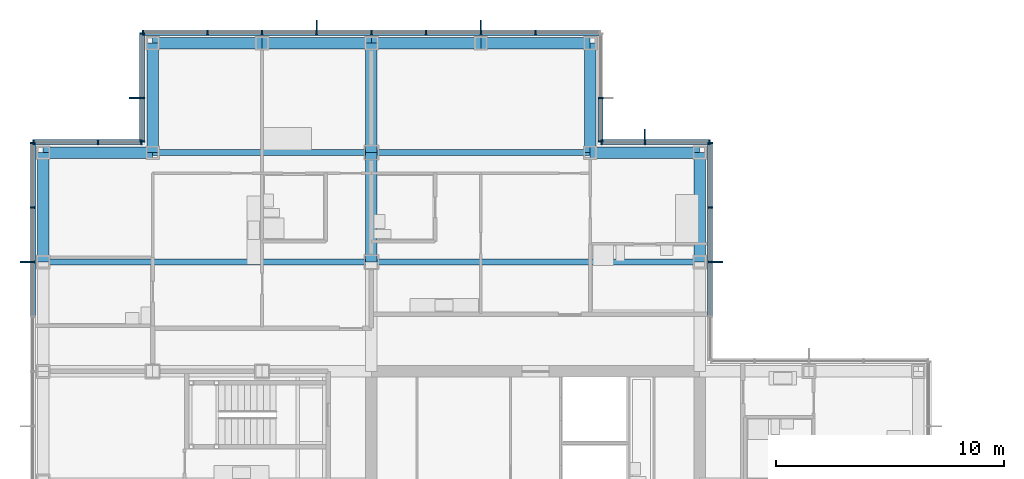
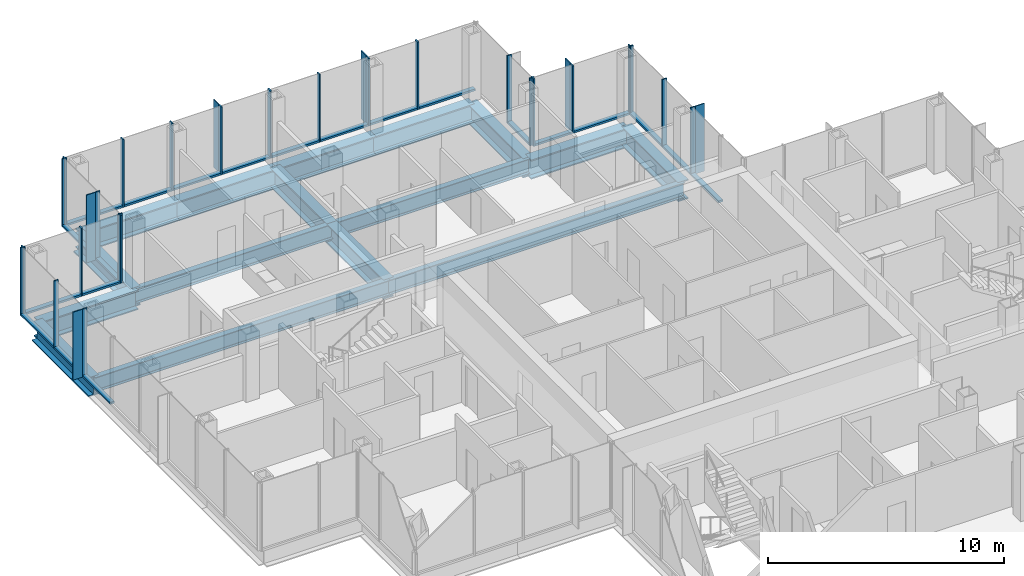
# One storey, part 10 of 20: 52 members, 16 beams, 7 elements without a shape of their own.
"""IFC4 building model written with IfcOpenShell, lengths in metres."""

from ifc_helpers import new_model, si_unit, direction, frame, origin, origin_2d, place, context, subcontext, project, spatial, rectangle, i_section, extrude, material, material_profile, profile_set, type_object, element, aggregate, save


model = new_model("IFC4")

# Units and contexts
model_context = context("Model", 3, precision=1e-05, world=origin(), true_north=direction((0.0, 1.0)))
body_context = subcontext(model_context, "Body", "Model", "MODEL_VIEW")
ifc_project = project(units=[si_unit("LENGTHUNIT", "METRE"), si_unit("AREAUNIT", "SQUARE_METRE"), si_unit("VOLUMEUNIT", "CUBIC_METRE"), si_unit("PLANEANGLEUNIT", "RADIAN"), si_unit("MASSUNIT", "GRAM", prefix="KILO")], contexts=[model_context])

# Site, building, storey
site_placement = place(None, origin())
site = spatial("IfcSite", under=ifc_project, at=site_placement, CompositionType="ELEMENT")
building_placement = place(site_placement, origin())
building = spatial("IfcBuilding", under=site, at=building_placement, Name="Kvirike Care Tower", CompositionType="ELEMENT")
storey_placement = place(building_placement, frame((0.0, 0.0, 126.0)))
storey = spatial("IfcBuildingStorey", under=building, at=storey_placement, Name="L34", CompositionType="ELEMENT", Elevation=126.0)

# Curtain wall, member
ifc_material_1 = material(Name="Anodised aluminium stick system", Category="aluminium")
curtain_wall_type = type_object("IfcCurtainWallType", Name="CW-B STICK CURTAIN WALL", PredefinedType="NOTDEFINED", material=ifc_material_1)
curtain_wall_1_placement = place(storey_placement, origin())
curtain_wall_1 = element("IfcCurtainWall", 1, at=curtain_wall_1_placement, inside=storey, type_object=curtain_wall_type, Name="Curtain wall L34 face 5", PredefinedType="NOTDEFINED")
ifc_material_2 = material(Name="Bronze anodised aluminium fin", Category="aluminium")
ifc_material_profile_1 = material_profile(ifc_material_2, rectangle(XDim=0.050048828125, YDim=0.449951171875, at=origin_2d()), Name="BRONZE FIN 450")
ifc_profile_set_1 = profile_set([ifc_material_profile_1], Name="Bronze anodised aluminium fin")
member_type_1 = type_object("IfcMemberType", Name="BRONZE FIN 450", PredefinedType="USERDEFINED", material=ifc_profile_set_1)
member_1_placement = place(storey_placement, frame((29.594970703125, 48.0, 0.0), z_axis=(0.0, 0.0, 1.0), x_axis=(0.0, 1.0, 0.0)))
member_1 = element("IfcMember", 2, at=member_1_placement, type_object=member_type_1, Name="Bronze fin L34 face 5.3", ObjectType="FIN", PredefinedType="USERDEFINED", context=body_context, shape_type="SweptSolid", body=[
    extrude(rectangle(XDim=0.050048828125, YDim=0.449951171875, at=origin_2d()), origin(), (0.0, 0.0, 1.0), 3.5),
])

curtain_wall_2_placement = place(storey_placement, origin())
curtain_wall_2 = element("IfcCurtainWall", 3, at=curtain_wall_2_placement, inside=storey, type_object=curtain_wall_type, Name="Curtain wall L34 face 6", PredefinedType="NOTDEFINED")
member_2_placement = place(storey_placement, frame((26.39990234375, 53.594970703125, 0.0), z_axis=(0.0, 0.0, 1.0), x_axis=(-1.0, 0.0, 0.0)))
member_2 = element("IfcMember", 4, at=member_2_placement, type_object=member_type_1, Name="Bronze fin L34 face 6.2", ObjectType="FIN", PredefinedType="USERDEFINED", context=body_context, shape_type="SweptSolid", body=[
    extrude(rectangle(XDim=0.050048828125, YDim=0.449951171875, at=origin_2d()), origin(), (0.0, 0.0, 1.0), 3.5),
])

# Curtain wall, members
curtain_wall_3_placement = place(storey_placement, origin())
curtain_wall_3 = element("IfcCurtainWall", 5, at=curtain_wall_3_placement, inside=storey, type_object=curtain_wall_type, Name="Curtain wall L34 face 8", PredefinedType="NOTDEFINED")
member_3_placement = place(storey_placement, frame((19.199951171875, 58.39501953125, 0.0), z_axis=(0.0, 0.0, 1.0), x_axis=(-1.0, 0.0, 0.0)))
member_3 = element("IfcMember", 6, at=member_3_placement, type_object=member_type_1, Name="Bronze fin L34 face 8.3", ObjectType="FIN", PredefinedType="USERDEFINED", context=body_context, shape_type="SweptSolid", body=[
    extrude(rectangle(XDim=0.050048828125, YDim=0.449951171875, at=origin_2d()), origin(), (0.0, 0.0, 1.0), 3.5),
])
member_4_placement = place(storey_placement, frame((12.0, 58.39501953125, 0.0), z_axis=(0.0, 0.0, 1.0), x_axis=(-1.0, 0.0, 0.0)))
member_4 = element("IfcMember", 7, at=member_4_placement, type_object=member_type_1, Name="Bronze fin L34 face 8.6", ObjectType="FIN", PredefinedType="USERDEFINED", context=body_context, shape_type="SweptSolid", body=[
    extrude(rectangle(XDim=0.050048828125, YDim=0.449951171875, at=origin_2d()), origin(), (0.0, 0.0, 1.0), 3.5),
])

# Curtain wall, member
curtain_wall_4_placement = place(storey_placement, origin())
curtain_wall_4 = element("IfcCurtainWall", 8, at=curtain_wall_4_placement, inside=storey, type_object=curtain_wall_type, Name="Curtain wall L34 face 9", PredefinedType="NOTDEFINED")
member_5_placement = place(storey_placement, frame((4.0048828125, 55.199951171875, 0.0), z_axis=(0.0, 0.0, 1.0), x_axis=(0.0, -1.0, 0.0)))
member_5 = element("IfcMember", 9, at=member_5_placement, type_object=member_type_1, Name="Bronze fin L34 face 9.2", ObjectType="FIN", PredefinedType="USERDEFINED", context=body_context, shape_type="SweptSolid", body=[
    extrude(rectangle(XDim=0.050048828125, YDim=0.449951171875, at=origin_2d()), origin(), (0.0, 0.0, 1.0), 3.5),
])

curtain_wall_5_placement = place(storey_placement, origin())
curtain_wall_5 = element("IfcCurtainWall", 10, at=curtain_wall_5_placement, inside=storey, type_object=curtain_wall_type, Name="Curtain wall L34 face 11", PredefinedType="NOTDEFINED")
member_6_placement = place(storey_placement, frame((-0.794921875, 48.0, 0.0), z_axis=(0.0, 0.0, 1.0), x_axis=(0.0, -1.0, 0.0)))
member_6 = element("IfcMember", 11, at=member_6_placement, type_object=member_type_1, Name="Bronze fin L34 face 11.3", ObjectType="FIN", PredefinedType="USERDEFINED", context=body_context, shape_type="SweptSolid", body=[
    extrude(rectangle(XDim=0.050048828125, YDim=0.449951171875, at=origin_2d()), origin(), (0.0, 0.0, 1.0), 3.5),
])

# Member
ifc_material_3 = material(Name="Bronze anodised aluminium mullion", Category="aluminium")
ifc_material_profile_2 = material_profile(ifc_material_3, rectangle(XDim=0.06494140625, YDim=0.219970703125, at=origin_2d()), Name="CW-B MULLION 65x220")
ifc_profile_set_2 = profile_set([ifc_material_profile_2], Name="Bronze anodised aluminium mullion")
member_type_2 = type_object("IfcMemberType", Name="CW-B MULLION 65x220", PredefinedType="MULLION", material=ifc_profile_set_2)
member_7_placement = place(storey_placement, frame((29.260009765625, 48.0, 0.0), z_axis=(0.0, 0.0, 1.0), x_axis=(0.0, 1.0, 0.0)))
member_7 = element("IfcMember", 12, at=member_7_placement, type_object=member_type_2, Name="CW-B mullion L34 face 5.3", PredefinedType="MULLION", context=body_context, shape_type="SweptSolid", body=[
    extrude(rectangle(XDim=0.06494140625, YDim=0.219970703125, at=origin_2d()), origin(), (0.0, 0.0, 1.0), 3.5),
])

member_8_placement = place(storey_placement, frame((29.260009765625, 50.39990234375, 0.0), z_axis=(0.0, 0.0, 1.0), x_axis=(0.0, 1.0, 0.0)))
member_8 = element("IfcMember", 13, at=member_8_placement, type_object=member_type_2, Name="CW-B mullion L34 face 5.4", PredefinedType="MULLION", context=body_context, shape_type="SweptSolid", body=[
    extrude(rectangle(XDim=0.06494140625, YDim=0.219970703125, at=origin_2d()), origin(), (0.0, 0.0, 1.0), 3.5),
])

member_9_placement = place(storey_placement, frame((29.260009765625, 53.2275390625, 0.0), z_axis=(0.0, 0.0, 1.0), x_axis=(0.0, 1.0, 0.0)))
member_9 = element("IfcMember", 14, at=member_9_placement, type_object=member_type_2, Name="CW-B mullion L34 face 5.5", PredefinedType="MULLION", context=body_context, shape_type="SweptSolid", body=[
    extrude(rectangle(XDim=0.06494140625, YDim=0.219970703125, at=origin_2d()), origin(), (0.0, 0.0, 1.0), 3.5),
])

member_10_placement = place(storey_placement, frame((29.2275390625, 53.260009765625, 0.0), z_axis=(0.0, 0.0, 1.0), x_axis=(-1.0, 0.0, 0.0)))
member_10 = element("IfcMember", 15, at=member_10_placement, type_object=member_type_2, Name="CW-B mullion L34 face 6.1", PredefinedType="MULLION", context=body_context, shape_type="SweptSolid", body=[
    extrude(rectangle(XDim=0.06494140625, YDim=0.219970703125, at=origin_2d()), origin(), (0.0, 0.0, 1.0), 3.5),
])

member_11_placement = place(storey_placement, frame((26.39990234375, 53.260009765625, 0.0), z_axis=(0.0, 0.0, 1.0), x_axis=(-1.0, 0.0, 0.0)))
member_11 = element("IfcMember", 16, at=member_11_placement, type_object=member_type_2, Name="CW-B mullion L34 face 6.2", PredefinedType="MULLION", context=body_context, shape_type="SweptSolid", body=[
    extrude(rectangle(XDim=0.06494140625, YDim=0.219970703125, at=origin_2d()), origin(), (0.0, 0.0, 1.0), 3.5),
])

member_12_placement = place(storey_placement, frame((24.492431640625, 53.260009765625, 0.0), z_axis=(0.0, 0.0, 1.0), x_axis=(-1.0, 0.0, 0.0)))
member_12 = element("IfcMember", 17, at=member_12_placement, type_object=member_type_2, Name="CW-B mullion L34 face 6.3", PredefinedType="MULLION", context=body_context, shape_type="SweptSolid", body=[
    extrude(rectangle(XDim=0.06494140625, YDim=0.219970703125, at=origin_2d()), origin(), (0.0, 0.0, 1.0), 3.5),
])

# Curtain wall, members
curtain_wall_6_placement = place(storey_placement, origin())
curtain_wall_6 = element("IfcCurtainWall", 18, at=curtain_wall_6_placement, inside=storey, type_object=curtain_wall_type, Name="Curtain wall L34 face 7", PredefinedType="NOTDEFINED")
member_13_placement = place(storey_placement, frame((24.4599609375, 53.29248046875, 0.0), z_axis=(0.0, 0.0, 1.0), x_axis=(0.0, 1.0, 0.0)))
member_13 = element("IfcMember", 19, at=member_13_placement, type_object=member_type_2, Name="CW-B mullion L34 face 7.1", PredefinedType="MULLION", context=body_context, shape_type="SweptSolid", body=[
    extrude(rectangle(XDim=0.06494140625, YDim=0.219970703125, at=origin_2d()), origin(), (0.0, 0.0, 1.0), 3.5),
])
member_14_placement = place(storey_placement, frame((24.4599609375, 55.199951171875, 0.0), z_axis=(0.0, 0.0, 1.0), x_axis=(0.0, 1.0, 0.0)))
member_14 = element("IfcMember", 20, at=member_14_placement, type_object=member_type_2, Name="CW-B mullion L34 face 7.2", PredefinedType="MULLION", context=body_context, shape_type="SweptSolid", body=[
    extrude(rectangle(XDim=0.06494140625, YDim=0.219970703125, at=origin_2d()), origin(), (0.0, 0.0, 1.0), 3.5),
])

# Member
member_15_placement = place(storey_placement, frame((21.60009765625, 58.06005859375, 0.0), z_axis=(0.0, 0.0, 1.0), x_axis=(-1.0, 0.0, 0.0)))
member_15 = element("IfcMember", 21, at=member_15_placement, type_object=member_type_2, Name="CW-B mullion L34 face 8.2", PredefinedType="MULLION", context=body_context, shape_type="SweptSolid", body=[
    extrude(rectangle(XDim=0.06494140625, YDim=0.219970703125, at=origin_2d()), origin(), (0.0, 0.0, 1.0), 3.5),
])

member_16_placement = place(storey_placement, frame((19.199951171875, 58.06005859375, 0.0), z_axis=(0.0, 0.0, 1.0), x_axis=(-1.0, 0.0, 0.0)))
member_16 = element("IfcMember", 22, at=member_16_placement, type_object=member_type_2, Name="CW-B mullion L34 face 8.3", PredefinedType="MULLION", context=body_context, shape_type="SweptSolid", body=[
    extrude(rectangle(XDim=0.06494140625, YDim=0.219970703125, at=origin_2d()), origin(), (0.0, 0.0, 1.0), 3.5),
])

member_17_placement = place(storey_placement, frame((16.800048828125, 58.06005859375, 0.0), z_axis=(0.0, 0.0, 1.0), x_axis=(-1.0, 0.0, 0.0)))
member_17 = element("IfcMember", 23, at=member_17_placement, type_object=member_type_2, Name="CW-B mullion L34 face 8.4", PredefinedType="MULLION", context=body_context, shape_type="SweptSolid", body=[
    extrude(rectangle(XDim=0.06494140625, YDim=0.219970703125, at=origin_2d()), origin(), (0.0, 0.0, 1.0), 3.5),
])

member_18_placement = place(storey_placement, frame((14.39990234375, 58.06005859375, 0.0), z_axis=(0.0, 0.0, 1.0), x_axis=(-1.0, 0.0, 0.0)))
member_18 = element("IfcMember", 24, at=member_18_placement, type_object=member_type_2, Name="CW-B mullion L34 face 8.5", PredefinedType="MULLION", context=body_context, shape_type="SweptSolid", body=[
    extrude(rectangle(XDim=0.06494140625, YDim=0.219970703125, at=origin_2d()), origin(), (0.0, 0.0, 1.0), 3.5),
])

member_19_placement = place(storey_placement, frame((12.0, 58.06005859375, 0.0), z_axis=(0.0, 0.0, 1.0), x_axis=(-1.0, 0.0, 0.0)))
member_19 = element("IfcMember", 25, at=member_19_placement, type_object=member_type_2, Name="CW-B mullion L34 face 8.6", PredefinedType="MULLION", context=body_context, shape_type="SweptSolid", body=[
    extrude(rectangle(XDim=0.06494140625, YDim=0.219970703125, at=origin_2d()), origin(), (0.0, 0.0, 1.0), 3.5),
])

member_20_placement = place(storey_placement, frame((9.60009765625, 58.06005859375, 0.0), z_axis=(0.0, 0.0, 1.0), x_axis=(-1.0, 0.0, 0.0)))
member_20 = element("IfcMember", 26, at=member_20_placement, type_object=member_type_2, Name="CW-B mullion L34 face 8.7", PredefinedType="MULLION", context=body_context, shape_type="SweptSolid", body=[
    extrude(rectangle(XDim=0.06494140625, YDim=0.219970703125, at=origin_2d()), origin(), (0.0, 0.0, 1.0), 3.5),
])

member_21_placement = place(storey_placement, frame((7.199951171875, 58.06005859375, 0.0), z_axis=(0.0, 0.0, 1.0), x_axis=(-1.0, 0.0, 0.0)))
member_21 = element("IfcMember", 27, at=member_21_placement, type_object=member_type_2, Name="CW-B mullion L34 face 8.8", PredefinedType="MULLION", context=body_context, shape_type="SweptSolid", body=[
    extrude(rectangle(XDim=0.06494140625, YDim=0.219970703125, at=origin_2d()), origin(), (0.0, 0.0, 1.0), 3.5),
])

member_22_placement = place(storey_placement, frame((4.37255859375, 58.06005859375, 0.0), z_axis=(0.0, 0.0, 1.0), x_axis=(-1.0, 0.0, 0.0)))
member_22 = element("IfcMember", 28, at=member_22_placement, type_object=member_type_2, Name="CW-B mullion L34 face 8.9", PredefinedType="MULLION", context=body_context, shape_type="SweptSolid", body=[
    extrude(rectangle(XDim=0.06494140625, YDim=0.219970703125, at=origin_2d()), origin(), (0.0, 0.0, 1.0), 3.5),
])

member_23_placement = place(storey_placement, frame((4.340087890625, 58.027587890625, 0.0), z_axis=(0.0, 0.0, 1.0), x_axis=(0.0, -1.0, 0.0)))
member_23 = element("IfcMember", 29, at=member_23_placement, type_object=member_type_2, Name="CW-B mullion L34 face 9.1", PredefinedType="MULLION", context=body_context, shape_type="SweptSolid", body=[
    extrude(rectangle(XDim=0.06494140625, YDim=0.219970703125, at=origin_2d()), origin(), (0.0, 0.0, 1.0), 3.5),
])

member_24_placement = place(storey_placement, frame((4.340087890625, 55.199951171875, 0.0), z_axis=(0.0, 0.0, 1.0), x_axis=(0.0, -1.0, 0.0)))
member_24 = element("IfcMember", 30, at=member_24_placement, type_object=member_type_2, Name="CW-B mullion L34 face 9.2", PredefinedType="MULLION", context=body_context, shape_type="SweptSolid", body=[
    extrude(rectangle(XDim=0.06494140625, YDim=0.219970703125, at=origin_2d()), origin(), (0.0, 0.0, 1.0), 3.5),
])

member_25_placement = place(storey_placement, frame((4.340087890625, 53.29248046875, 0.0), z_axis=(0.0, 0.0, 1.0), x_axis=(0.0, -1.0, 0.0)))
member_25 = element("IfcMember", 31, at=member_25_placement, type_object=member_type_2, Name="CW-B mullion L34 face 9.3", PredefinedType="MULLION", context=body_context, shape_type="SweptSolid", body=[
    extrude(rectangle(XDim=0.06494140625, YDim=0.219970703125, at=origin_2d()), origin(), (0.0, 0.0, 1.0), 3.5),
])

# Curtain wall, members
curtain_wall_7_placement = place(storey_placement, origin())
curtain_wall_7 = element("IfcCurtainWall", 32, at=curtain_wall_7_placement, inside=storey, type_object=curtain_wall_type, Name="Curtain wall L34 face 10", PredefinedType="NOTDEFINED")
member_26_placement = place(storey_placement, frame((4.3076171875, 53.260009765625, 0.0), z_axis=(0.0, 0.0, 1.0), x_axis=(-1.0, 0.0, 0.0)))
member_26 = element("IfcMember", 33, at=member_26_placement, type_object=member_type_2, Name="CW-B mullion L34 face 10.1", PredefinedType="MULLION", context=body_context, shape_type="SweptSolid", body=[
    extrude(rectangle(XDim=0.06494140625, YDim=0.219970703125, at=origin_2d()), origin(), (0.0, 0.0, 1.0), 3.5),
])
member_27_placement = place(storey_placement, frame((2.39990234375, 53.260009765625, 0.0), z_axis=(0.0, 0.0, 1.0), x_axis=(-1.0, 0.0, 0.0)))
member_27 = element("IfcMember", 34, at=member_27_placement, type_object=member_type_2, Name="CW-B mullion L34 face 10.2", PredefinedType="MULLION", context=body_context, shape_type="SweptSolid", body=[
    extrude(rectangle(XDim=0.06494140625, YDim=0.219970703125, at=origin_2d()), origin(), (0.0, 0.0, 1.0), 3.5),
])
member_28_placement = place(storey_placement, frame((-0.427490234375, 53.260009765625, 0.0), z_axis=(0.0, 0.0, 1.0), x_axis=(-1.0, 0.0, 0.0)))
member_28 = element("IfcMember", 35, at=member_28_placement, type_object=member_type_2, Name="CW-B mullion L34 face 10.3", PredefinedType="MULLION", context=body_context, shape_type="SweptSolid", body=[
    extrude(rectangle(XDim=0.06494140625, YDim=0.219970703125, at=origin_2d()), origin(), (0.0, 0.0, 1.0), 3.5),
])

# Member
member_29_placement = place(storey_placement, frame((-0.4599609375, 53.2275390625, 0.0), z_axis=(0.0, 0.0, 1.0), x_axis=(0.0, -1.0, 0.0)))
member_29 = element("IfcMember", 36, at=member_29_placement, type_object=member_type_2, Name="CW-B mullion L34 face 11.1", PredefinedType="MULLION", context=body_context, shape_type="SweptSolid", body=[
    extrude(rectangle(XDim=0.06494140625, YDim=0.219970703125, at=origin_2d()), origin(), (0.0, 0.0, 1.0), 3.5),
])

member_30_placement = place(storey_placement, frame((-0.4599609375, 50.39990234375, 0.0), z_axis=(0.0, 0.0, 1.0), x_axis=(0.0, -1.0, 0.0)))
member_30 = element("IfcMember", 37, at=member_30_placement, type_object=member_type_2, Name="CW-B mullion L34 face 11.2", PredefinedType="MULLION", context=body_context, shape_type="SweptSolid", body=[
    extrude(rectangle(XDim=0.06494140625, YDim=0.219970703125, at=origin_2d()), origin(), (0.0, 0.0, 1.0), 3.5),
])

member_31_placement = place(storey_placement, frame((-0.4599609375, 48.0, 0.0), z_axis=(0.0, 0.0, 1.0), x_axis=(0.0, -1.0, 0.0)))
member_31 = element("IfcMember", 38, at=member_31_placement, type_object=member_type_2, Name="CW-B mullion L34 face 11.3", PredefinedType="MULLION", context=body_context, shape_type="SweptSolid", body=[
    extrude(rectangle(XDim=0.06494140625, YDim=0.219970703125, at=origin_2d()), origin(), (0.0, 0.0, 1.0), 3.5),
])

ifc_material_4 = material(Name="Bronze anodised aluminium transom", Category="aluminium")
ifc_material_profile_3 = material_profile(ifc_material_4, rectangle(XDim=0.219970703125, YDim=0.10009765625, at=origin_2d()), Name="CW-B TRANSOM 220x100")
ifc_profile_set_3 = profile_set([ifc_material_profile_3], Name="Bronze anodised aluminium transom")
member_type_3 = type_object("IfcMemberType", Name="CW-B TRANSOM 220x100", PredefinedType="USERDEFINED", material=ifc_profile_set_3)
member_32_placement = place(storey_placement, frame((29.260009765625, 45.632568359375, 0.050048828125), z_axis=(0.0, 1.0, 0.0), x_axis=(-1.0, 0.0, 0.0)))
member_32 = element("IfcMember", 39, at=member_32_placement, type_object=member_type_3, Name="CW-B sill transom L34 face 5.2", ObjectType="TRANSOM", PredefinedType="USERDEFINED", context=body_context, shape_type="SweptSolid", body=[
    extrude(rectangle(XDim=0.219970703125, YDim=0.10009765625, at=origin_2d()), origin(), (0.0, 0.0, 1.0), 2.3349609375),
])

member_33_placement = place(storey_placement, frame((29.260009765625, 48.032470703125, 0.050048828125), z_axis=(0.0, 1.0, 0.0), x_axis=(-1.0, 0.0, 0.0)))
member_33 = element("IfcMember", 40, at=member_33_placement, type_object=member_type_3, Name="CW-B sill transom L34 face 5.3", ObjectType="TRANSOM", PredefinedType="USERDEFINED", context=body_context, shape_type="SweptSolid", body=[
    extrude(rectangle(XDim=0.219970703125, YDim=0.10009765625, at=origin_2d()), origin(), (0.0, 0.0, 1.0), 2.3349609375),
])

member_34_placement = place(storey_placement, frame((29.260009765625, 50.4326171875, 0.050048828125), z_axis=(0.0, 1.0, 0.0), x_axis=(-1.0, 0.0, 0.0)))
member_34 = element("IfcMember", 41, at=member_34_placement, type_object=member_type_3, Name="CW-B sill transom L34 face 5.4", ObjectType="TRANSOM", PredefinedType="USERDEFINED", context=body_context, shape_type="SweptSolid", body=[
    extrude(rectangle(XDim=0.219970703125, YDim=0.10009765625, at=origin_2d()), origin(), (0.0, 0.0, 1.0), 2.762451171875),
])

aggregate(curtain_wall_1, [member_7, member_1, member_8, member_9, member_32, member_33, member_34])

member_35_placement = place(storey_placement, frame((29.195068359375, 53.260009765625, 0.050048828125), z_axis=(-1.0, 0.0, 0.0), x_axis=(0.0, -1.0, 0.0)))
member_35 = element("IfcMember", 42, at=member_35_placement, type_object=member_type_3, Name="CW-B sill transom L34 face 6.1", ObjectType="TRANSOM", PredefinedType="USERDEFINED", context=body_context, shape_type="SweptSolid", body=[
    extrude(rectangle(XDim=0.219970703125, YDim=0.10009765625, at=origin_2d()), origin(), (0.0, 0.0, 1.0), 2.762451171875),
])

member_36_placement = place(storey_placement, frame((26.367431640625, 53.260009765625, 0.050048828125), z_axis=(-1.0, 0.0, 0.0), x_axis=(0.0, -1.0, 0.0)))
member_36 = element("IfcMember", 43, at=member_36_placement, type_object=member_type_3, Name="CW-B sill transom L34 face 6.2", ObjectType="TRANSOM", PredefinedType="USERDEFINED", context=body_context, shape_type="SweptSolid", body=[
    extrude(rectangle(XDim=0.219970703125, YDim=0.10009765625, at=origin_2d()), origin(), (0.0, 0.0, 1.0), 1.842529296875),
])

aggregate(curtain_wall_2, [member_10, member_11, member_2, member_12, member_35, member_36])

member_37_placement = place(storey_placement, frame((24.4599609375, 53.324951171875, 0.050048828125), z_axis=(0.0, 1.0, 0.0), x_axis=(-1.0, 0.0, 0.0)))
member_37 = element("IfcMember", 44, at=member_37_placement, type_object=member_type_3, Name="CW-B sill transom L34 face 7.1", ObjectType="TRANSOM", PredefinedType="USERDEFINED", context=body_context, shape_type="SweptSolid", body=[
    extrude(rectangle(XDim=0.219970703125, YDim=0.10009765625, at=origin_2d()), origin(), (0.0, 0.0, 1.0), 1.842529296875),
])

aggregate(curtain_wall_6, [member_13, member_14, member_37])

member_38_placement = place(storey_placement, frame((24.39501953125, 58.06005859375, 0.050048828125), z_axis=(-1.0, 0.0, 0.0), x_axis=(0.0, -1.0, 0.0)))
member_38 = element("IfcMember", 45, at=member_38_placement, type_object=member_type_3, Name="CW-B sill transom L34 face 8.1", ObjectType="TRANSOM", PredefinedType="USERDEFINED", context=body_context, shape_type="SweptSolid", body=[
    extrude(rectangle(XDim=0.219970703125, YDim=0.10009765625, at=origin_2d()), origin(), (0.0, 0.0, 1.0), 2.762451171875),
])

member_39_placement = place(storey_placement, frame((21.5673828125, 58.06005859375, 0.050048828125), z_axis=(-1.0, 0.0, 0.0), x_axis=(0.0, -1.0, 0.0)))
member_39 = element("IfcMember", 46, at=member_39_placement, type_object=member_type_3, Name="CW-B sill transom L34 face 8.2", ObjectType="TRANSOM", PredefinedType="USERDEFINED", context=body_context, shape_type="SweptSolid", body=[
    extrude(rectangle(XDim=0.219970703125, YDim=0.10009765625, at=origin_2d()), origin(), (0.0, 0.0, 1.0), 2.3349609375),
])

member_40_placement = place(storey_placement, frame((19.16748046875, 58.06005859375, 0.050048828125), z_axis=(-1.0, 0.0, 0.0), x_axis=(0.0, -1.0, 0.0)))
member_40 = element("IfcMember", 47, at=member_40_placement, type_object=member_type_3, Name="CW-B sill transom L34 face 8.3", ObjectType="TRANSOM", PredefinedType="USERDEFINED", context=body_context, shape_type="SweptSolid", body=[
    extrude(rectangle(XDim=0.219970703125, YDim=0.10009765625, at=origin_2d()), origin(), (0.0, 0.0, 1.0), 2.3349609375),
])

member_41_placement = place(storey_placement, frame((16.767578125, 58.06005859375, 0.050048828125), z_axis=(-1.0, 0.0, 0.0), x_axis=(0.0, -1.0, 0.0)))
member_41 = element("IfcMember", 48, at=member_41_placement, type_object=member_type_3, Name="CW-B sill transom L34 face 8.4", ObjectType="TRANSOM", PredefinedType="USERDEFINED", context=body_context, shape_type="SweptSolid", body=[
    extrude(rectangle(XDim=0.219970703125, YDim=0.10009765625, at=origin_2d()), origin(), (0.0, 0.0, 1.0), 2.3349609375),
])

member_42_placement = place(storey_placement, frame((14.367431640625, 58.06005859375, 0.050048828125), z_axis=(-1.0, 0.0, 0.0), x_axis=(0.0, -1.0, 0.0)))
member_42 = element("IfcMember", 49, at=member_42_placement, type_object=member_type_3, Name="CW-B sill transom L34 face 8.5", ObjectType="TRANSOM", PredefinedType="USERDEFINED", context=body_context, shape_type="SweptSolid", body=[
    extrude(rectangle(XDim=0.219970703125, YDim=0.10009765625, at=origin_2d()), origin(), (0.0, 0.0, 1.0), 2.3349609375),
])

member_43_placement = place(storey_placement, frame((11.967529296875, 58.06005859375, 0.050048828125), z_axis=(-1.0, 0.0, 0.0), x_axis=(0.0, -1.0, 0.0)))
member_43 = element("IfcMember", 50, at=member_43_placement, type_object=member_type_3, Name="CW-B sill transom L34 face 8.6", ObjectType="TRANSOM", PredefinedType="USERDEFINED", context=body_context, shape_type="SweptSolid", body=[
    extrude(rectangle(XDim=0.219970703125, YDim=0.10009765625, at=origin_2d()), origin(), (0.0, 0.0, 1.0), 2.3349609375),
])

member_44_placement = place(storey_placement, frame((9.5673828125, 58.06005859375, 0.050048828125), z_axis=(-1.0, 0.0, 0.0), x_axis=(0.0, -1.0, 0.0)))
member_44 = element("IfcMember", 51, at=member_44_placement, type_object=member_type_3, Name="CW-B sill transom L34 face 8.7", ObjectType="TRANSOM", PredefinedType="USERDEFINED", context=body_context, shape_type="SweptSolid", body=[
    extrude(rectangle(XDim=0.219970703125, YDim=0.10009765625, at=origin_2d()), origin(), (0.0, 0.0, 1.0), 2.3349609375),
])

member_45_placement = place(storey_placement, frame((7.16748046875, 58.06005859375, 0.050048828125), z_axis=(-1.0, 0.0, 0.0), x_axis=(0.0, -1.0, 0.0)))
member_45 = element("IfcMember", 52, at=member_45_placement, type_object=member_type_3, Name="CW-B sill transom L34 face 8.8", ObjectType="TRANSOM", PredefinedType="USERDEFINED", context=body_context, shape_type="SweptSolid", body=[
    extrude(rectangle(XDim=0.219970703125, YDim=0.10009765625, at=origin_2d()), origin(), (0.0, 0.0, 1.0), 2.762451171875),
])

aggregate(curtain_wall_3, [member_15, member_16, member_3, member_17, member_18, member_19, member_4, member_20, member_21, member_22, member_38, member_39, member_40, member_41, member_42, member_43, member_44, member_45])

member_46_placement = place(storey_placement, frame((4.340087890625, 57.9951171875, 0.050048828125), z_axis=(0.0, -1.0, 0.0), x_axis=(1.0, 0.0, 0.0)))
member_46 = element("IfcMember", 53, at=member_46_placement, type_object=member_type_3, Name="CW-B sill transom L34 face 9.1", ObjectType="TRANSOM", PredefinedType="USERDEFINED", context=body_context, shape_type="SweptSolid", body=[
    extrude(rectangle(XDim=0.219970703125, YDim=0.10009765625, at=origin_2d()), origin(), (0.0, 0.0, 1.0), 2.7626953125),
])

member_47_placement = place(storey_placement, frame((4.340087890625, 55.16748046875, 0.050048828125), z_axis=(0.0, -1.0, 0.0), x_axis=(1.0, 0.0, 0.0)))
member_47 = element("IfcMember", 54, at=member_47_placement, type_object=member_type_3, Name="CW-B sill transom L34 face 9.2", ObjectType="TRANSOM", PredefinedType="USERDEFINED", context=body_context, shape_type="SweptSolid", body=[
    extrude(rectangle(XDim=0.219970703125, YDim=0.10009765625, at=origin_2d()), origin(), (0.0, 0.0, 1.0), 1.842529296875),
])

aggregate(curtain_wall_4, [member_23, member_24, member_5, member_25, member_46, member_47])

member_48_placement = place(storey_placement, frame((4.27490234375, 53.260009765625, 0.050048828125), z_axis=(-1.0, 0.0, 0.0), x_axis=(0.0, -1.0, 0.0)))
member_48 = element("IfcMember", 55, at=member_48_placement, type_object=member_type_3, Name="CW-B sill transom L34 face 10.1", ObjectType="TRANSOM", PredefinedType="USERDEFINED", context=body_context, shape_type="SweptSolid", body=[
    extrude(rectangle(XDim=0.219970703125, YDim=0.10009765625, at=origin_2d()), origin(), (0.0, 0.0, 1.0), 1.84228515625),
])

member_49_placement = place(storey_placement, frame((2.367431640625, 53.260009765625, 0.050048828125), z_axis=(-1.0, 0.0, 0.0), x_axis=(0.0, -1.0, 0.0)))
member_49 = element("IfcMember", 56, at=member_49_placement, type_object=member_type_3, Name="CW-B sill transom L34 face 10.2", ObjectType="TRANSOM", PredefinedType="USERDEFINED", context=body_context, shape_type="SweptSolid", body=[
    extrude(rectangle(XDim=0.219970703125, YDim=0.10009765625, at=origin_2d()), origin(), (0.0, 0.0, 1.0), 2.762451171875),
])

aggregate(curtain_wall_7, [member_26, member_27, member_28, member_48, member_49])

member_50_placement = place(storey_placement, frame((-0.4599609375, 53.195068359375, 0.050048828125), z_axis=(0.0, -1.0, 0.0), x_axis=(1.0, 0.0, 0.0)))
member_50 = element("IfcMember", 57, at=member_50_placement, type_object=member_type_3, Name="CW-B sill transom L34 face 11.1", ObjectType="TRANSOM", PredefinedType="USERDEFINED", context=body_context, shape_type="SweptSolid", body=[
    extrude(rectangle(XDim=0.219970703125, YDim=0.10009765625, at=origin_2d()), origin(), (0.0, 0.0, 1.0), 2.762451171875),
])

member_51_placement = place(storey_placement, frame((-0.4599609375, 50.367431640625, 0.050048828125), z_axis=(0.0, -1.0, 0.0), x_axis=(1.0, 0.0, 0.0)))
member_51 = element("IfcMember", 58, at=member_51_placement, type_object=member_type_3, Name="CW-B sill transom L34 face 11.2", ObjectType="TRANSOM", PredefinedType="USERDEFINED", context=body_context, shape_type="SweptSolid", body=[
    extrude(rectangle(XDim=0.219970703125, YDim=0.10009765625, at=origin_2d()), origin(), (0.0, 0.0, 1.0), 2.3349609375),
])

member_52_placement = place(storey_placement, frame((-0.4599609375, 47.967529296875, 0.050048828125), z_axis=(0.0, -1.0, 0.0), x_axis=(1.0, 0.0, 0.0)))
member_52 = element("IfcMember", 59, at=member_52_placement, type_object=member_type_3, Name="CW-B sill transom L34 face 11.3", ObjectType="TRANSOM", PredefinedType="USERDEFINED", context=body_context, shape_type="SweptSolid", body=[
    extrude(rectangle(XDim=0.219970703125, YDim=0.10009765625, at=origin_2d()), origin(), (0.0, 0.0, 1.0), 2.3349609375),
])

aggregate(curtain_wall_5, [member_29, member_30, member_31, member_6, member_50, member_51, member_52])

# Beams
ifc_material_5 = material(Name="Steel S355", Category="steel")
ifc_material_profile_4 = material_profile(ifc_material_5, i_section(OverallWidth=0.26806640625, OverallDepth=0.77001953125, WebThickness=0.015625, FlangeThickness=0.025390625, FilletRadius=0.01708984375, at=origin_2d()), Name="IPE 750x196")
ifc_profile_set_4 = profile_set([ifc_material_profile_4], Name="Steel S355")
beam_type_1 = type_object("IfcBeamType", Name="FLOOR BEAM IPE 750x196", PredefinedType="BEAM", material=ifc_profile_set_4)
beam_1_placement = place(storey_placement, frame((0.0, 48.0, -0.554931640625), z_axis=(1.0, 0.0, 0.0), x_axis=(0.0, 1.0, 0.0)))
element("IfcBeam", 60, at=beam_1_placement, inside=storey, type_object=beam_type_1, Name="Floor Beam L3-L6 L34", PredefinedType="BEAM", context=body_context, shape_type="SweptSolid", body=[
    extrude(i_section(OverallWidth=0.26806640625, OverallDepth=0.77001953125, WebThickness=0.015625, FlangeThickness=0.025390625, FilletRadius=0.01708984375, at=origin_2d()), origin(), (0.0, 0.0, 1.0), 14.39990234375),
])
beam_2_placement = place(storey_placement, frame((14.39990234375, 48.0, -0.554931640625), z_axis=(1.0, 0.0, 0.0), x_axis=(0.0, 1.0, 0.0)))
element("IfcBeam", 61, at=beam_2_placement, inside=storey, type_object=beam_type_1, Name="Floor Beam L6-L9 L34", PredefinedType="BEAM", context=body_context, shape_type="SweptSolid", body=[
    extrude(i_section(OverallWidth=0.26806640625, OverallDepth=0.77001953125, WebThickness=0.015625, FlangeThickness=0.025390625, FilletRadius=0.01708984375, at=origin_2d()), origin(), (0.0, 0.0, 1.0), 14.400146484375),
])
beam_3_placement = place(storey_placement, frame((4.800048828125, 52.800048828125, -0.554931640625), z_axis=(1.0, 0.0, 0.0), x_axis=(0.0, 1.0, 0.0)))
element("IfcBeam", 62, at=beam_3_placement, inside=storey, type_object=beam_type_1, Name="Floor Beam M4-M6 L34", PredefinedType="BEAM", context=body_context, shape_type="SweptSolid", body=[
    extrude(i_section(OverallWidth=0.26806640625, OverallDepth=0.77001953125, WebThickness=0.015625, FlangeThickness=0.025390625, FilletRadius=0.01708984375, at=origin_2d()), origin(), (0.0, 0.0, 1.0), 9.599853515625),
])
beam_4_placement = place(storey_placement, frame((14.39990234375, 52.800048828125, -0.554931640625), z_axis=(1.0, 0.0, 0.0), x_axis=(0.0, 1.0, 0.0)))
element("IfcBeam", 63, at=beam_4_placement, inside=storey, type_object=beam_type_1, Name="Floor Beam M6-M8 L34", PredefinedType="BEAM", context=body_context, shape_type="SweptSolid", body=[
    extrude(i_section(OverallWidth=0.26806640625, OverallDepth=0.77001953125, WebThickness=0.015625, FlangeThickness=0.025390625, FilletRadius=0.01708984375, at=origin_2d()), origin(), (0.0, 0.0, 1.0), 9.60009765625),
])
ifc_material_6 = material(Name="Steel S355", Category="steel")
ifc_material_profile_5 = material_profile(ifc_material_6, i_section(OverallWidth=0.5, OverallDepth=1.0, WebThickness=0.030029296875, FlangeThickness=0.06005859375, at=origin_2d()), Name="PG 1000x500x30x60")
ifc_profile_set_5 = profile_set([ifc_material_profile_5], Name="Steel S355")
beam_type_2 = type_object("IfcBeamType", Name="FRAME BEAM PG 1000x500x30x60", PredefinedType="BEAM", material=ifc_profile_set_5)
for number, where, z_axis, x_axis, name in (
    (64, (14.39990234375, 48.0, -0.669921875), (0.0, 1.0, 0.0), (-1.0, 0.0, 0.0), "Frame Beam L6-M6 L34"),
    (65, (14.39990234375, 52.800048828125, -0.669921875), (0.0, 1.0, 0.0), (-1.0, 0.0, 0.0), "Frame Beam M6-N6 L34"),
):
    element("IfcBeam", number, at=place(storey_placement, frame(where, z_axis=z_axis, x_axis=x_axis)), inside=storey, type_object=beam_type_2, Name=name, PredefinedType="BEAM", context=body_context, shape_type="SweptSolid", body=[
        extrude(i_section(OverallWidth=0.5, OverallDepth=1.0, WebThickness=0.030029296875, FlangeThickness=0.06005859375, at=origin_2d()), origin(), (0.0, 0.0, 1.0), 4.800048828125),
    ])
ifc_material_7 = material(Name="Steel S355", Category="steel")
ifc_material_profile_6 = material_profile(ifc_material_7, i_section(OverallWidth=0.5, OverallDepth=1.0, WebThickness=0.030029296875, FlangeThickness=0.06005859375, at=origin_2d()), Name="PG 1000x500x30x60")
ifc_profile_set_6 = profile_set([ifc_material_profile_6], Name="Steel S355")
beam_type_3 = type_object("IfcBeamType", Name="SPANDREL PG 1000x500x30x60", PredefinedType="SPANDREL", material=ifc_profile_set_6)
for number, where, z_axis, x_axis, name in (
    (66, (0.0, 52.800048828125, -0.669921875), (1.0, 0.0, 0.0), (0.0, 1.0, 0.0), "Spandrel M3-M4 L34"),
    (67, (24.0, 52.800048828125, -0.669921875), (1.0, 0.0, 0.0), (0.0, 1.0, 0.0), "Spandrel M8-M9 L34"),
    (68, (4.800048828125, 57.60009765625, -0.669921875), (1.0, 0.0, 0.0), (0.0, 1.0, 0.0), "Spandrel N4-N5 L34"),
):
    element("IfcBeam", number, at=place(storey_placement, frame(where, z_axis=z_axis, x_axis=x_axis)), inside=storey, type_object=beam_type_3, Name=name, PredefinedType="SPANDREL", context=body_context, shape_type="SweptSolid", body=[
        extrude(i_section(OverallWidth=0.5, OverallDepth=1.0, WebThickness=0.030029296875, FlangeThickness=0.06005859375, at=origin_2d()), origin(), (0.0, 0.0, 1.0), 4.800048828125),
    ])
beam_5_placement = place(storey_placement, frame((9.60009765625, 57.60009765625, -0.669921875), z_axis=(1.0, 0.0, 0.0), x_axis=(0.0, 1.0, 0.0)))
element("IfcBeam", 69, at=beam_5_placement, inside=storey, type_object=beam_type_3, Name="Spandrel N5-N6 L34", PredefinedType="SPANDREL", context=body_context, shape_type="SweptSolid", body=[
    extrude(i_section(OverallWidth=0.5, OverallDepth=1.0, WebThickness=0.030029296875, FlangeThickness=0.06005859375, at=origin_2d()), origin(), (0.0, 0.0, 1.0), 4.7998046875),
])
for number, where, z_axis, x_axis, name in (
    (70, (14.39990234375, 57.60009765625, -0.669921875), (1.0, 0.0, 0.0), (0.0, 1.0, 0.0), "Spandrel N6-N7 L34"),
    (71, (19.199951171875, 57.60009765625, -0.669921875), (1.0, 0.0, 0.0), (0.0, 1.0, 0.0), "Spandrel N7-N8 L34"),
    (72, (0.0, 48.0, -0.669921875), (0.0, 1.0, 0.0), (-1.0, 0.0, 0.0), "Spandrel L3-M3 L34"),
    (73, (4.800048828125, 52.800048828125, -0.669921875), (0.0, 1.0, 0.0), (-1.0, 0.0, 0.0), "Spandrel M4-N4 L34"),
    (74, (24.0, 52.800048828125, -0.669921875), (0.0, 1.0, 0.0), (-1.0, 0.0, 0.0), "Spandrel M8-N8 L34"),
    (75, (28.800048828125, 48.0, -0.669921875), (0.0, 1.0, 0.0), (-1.0, 0.0, 0.0), "Spandrel L9-M9 L34"),
):
    element("IfcBeam", number, at=place(storey_placement, frame(where, z_axis=z_axis, x_axis=x_axis)), inside=storey, type_object=beam_type_3, Name=name, PredefinedType="SPANDREL", context=body_context, shape_type="SweptSolid", body=[
        extrude(i_section(OverallWidth=0.5, OverallDepth=1.0, WebThickness=0.030029296875, FlangeThickness=0.06005859375, at=origin_2d()), origin(), (0.0, 0.0, 1.0), 4.800048828125),
    ])

save(model, "model.ifc")
